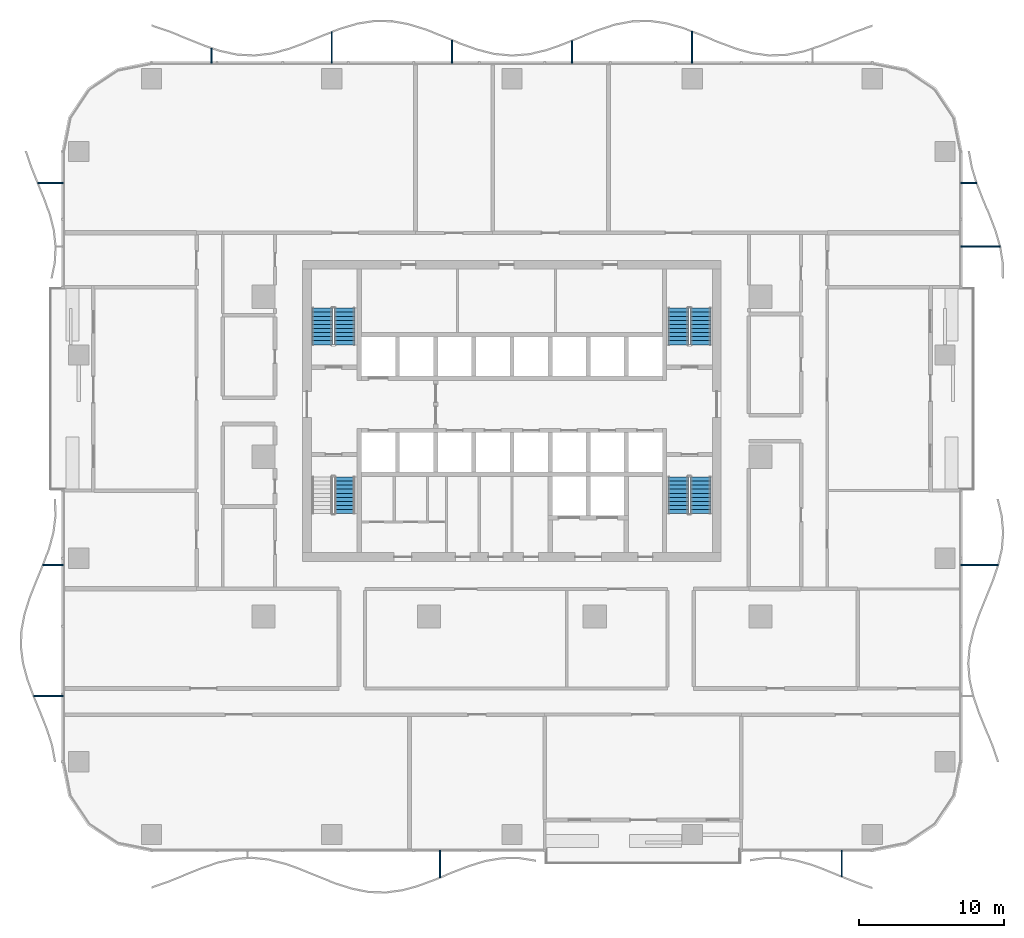
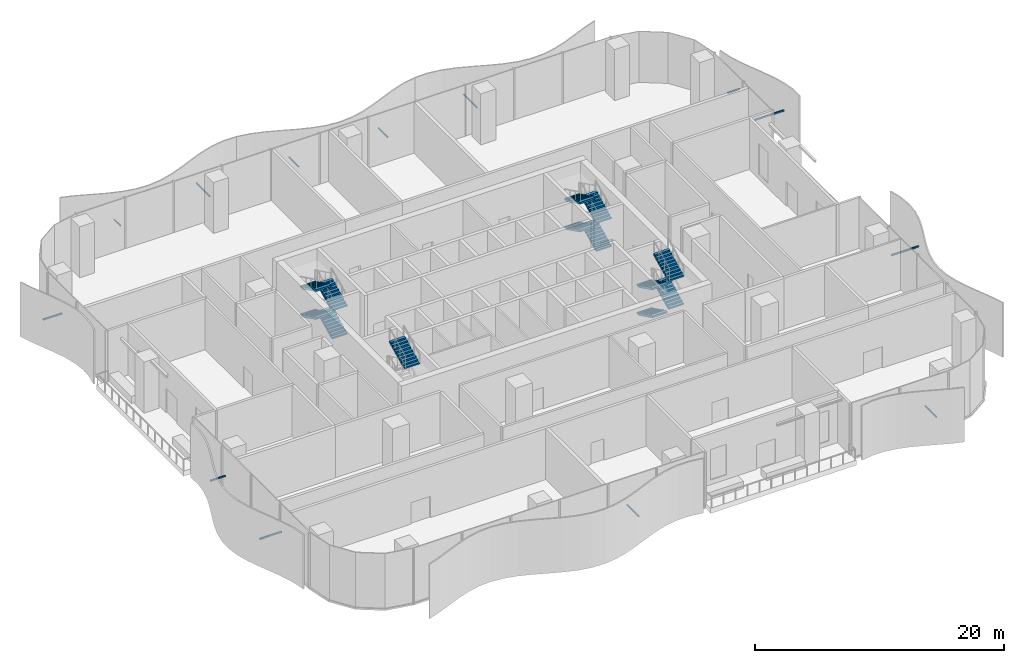
# One storey, part 12 of 21: 13 discrete accessories, 13 stair flights, 4 elements without a shape of their own.
"""IFC4 building model written with IfcOpenShell, lengths in metres."""

from ifc_helpers import new_model, si_unit, direction, frame, origin, origin_2d, place, context, subcontext, project, spatial, polyline, rectangle, outline, extrude, material, type_object, element, aggregate, save


model = new_model("IFC4")

# Units and contexts
model_context = context("Model", 3, precision=1e-05, world=origin(), true_north=direction((0.0, 1.0)))
body_context = subcontext(model_context, "Body", "Model", "MODEL_VIEW")
ifc_project = project(units=[si_unit("LENGTHUNIT", "METRE"), si_unit("AREAUNIT", "SQUARE_METRE"), si_unit("VOLUMEUNIT", "CUBIC_METRE"), si_unit("PLANEANGLEUNIT", "RADIAN"), si_unit("MASSUNIT", "GRAM", prefix="KILO")], contexts=[model_context])

# Site, building, storey
site_placement = place(None, origin())
site = spatial("IfcSite", under=ifc_project, at=site_placement, CompositionType="ELEMENT")
building_placement = place(site_placement, origin())
building = spatial("IfcBuilding", under=site, at=building_placement, Name="Mopane Tessera Tower", CompositionType="ELEMENT")
storey_placement = place(building_placement, frame((0.0, 0.0, 20.0)))
storey = spatial("IfcBuildingStorey", under=building, at=storey_placement, Name="L03", CompositionType="ELEMENT", Elevation=20.0)

# Stair, stair flight
ifc_material_1 = material(Name="Concrete C50/60", Category="concrete")
stair_type = type_object("IfcStairType", Name="Escape stair 1400 mm, riser 138 mm", PredefinedType="HALF_TURN_STAIR", material=ifc_material_1)
stair_1_placement = place(storey_placement, origin())
stair_1 = element("IfcStair", 1, at=stair_1_placement, inside=storey, type_object=stair_type, Name="L03 Escape stair south-west", PredefinedType="HALF_TURN_STAIR")
ifc_material_2 = material(Name="Concrete C50/60", Category="concrete")
stair_flight_type = type_object("IfcStairFlightType", Name="Escape stair flight 1400 mm", PredefinedType="STRAIGHT", material=ifc_material_2)
stair_flight_1_placement = place(storey_placement, frame((-11.5, -3.919921875, 4.125), z_axis=(0.0, 0.0, 1.0), x_axis=(0.0, 1.0, 0.0)))
stair_flight_1 = element("IfcStairFlight", 2, at=stair_flight_1_placement, type_object=stair_flight_type, Name="ST1 flight 4", NumberOfRisers=10, NumberOfTreads=9, PredefinedType="STRAIGHT", RiserHeight=0.1375, TreadLength=0.28, context=body_context, shape_type="SweptSolid", body=[
    extrude(outline(polyline([(0.0, 0.0), (0.0, 0.137451171875), (0.280029296875, 0.137451171875), (0.280029296875, 0.27490234375), (0.56005859375, 0.27490234375), (0.56005859375, 0.41259765625), (0.840087890625, 0.41259765625), (0.840087890625, 0.550048828125), (1.1201171875, 0.550048828125), (1.1201171875, 0.6875), (1.39990234375, 0.6875), (1.39990234375, 0.824951171875), (1.679931640625, 0.824951171875), (1.679931640625, 0.96240234375), (1.9599609375, 0.96240234375), (1.9599609375, 1.10009765625), (2.239990234375, 1.10009765625), (2.239990234375, 1.237548828125), (2.52001953125, 1.237548828125), (2.52001953125, 1.375), (2.52001953125, 1.070556640625), (0.340087890625, 0.0), (0.0, 0.0)])), frame((0.0, 0.699951171875, 0.0), z_axis=(0.0, -1.0, 0.0), x_axis=(1.0, 0.0, 0.0)), (0.0, 0.0, 1.0), 1.39990234375),
])
aggregate(stair_1, [stair_flight_1])

# Stair, stair flights
stair_2_placement = place(storey_placement, origin())
stair_2 = element("IfcStair", 3, at=stair_2_placement, inside=storey, type_object=stair_type, Name="L03 Escape stair north-west", PredefinedType="HALF_TURN_STAIR")
stair_flight_2_placement = place(storey_placement, frame((-11.5, 7.699951171875, 0.0), z_axis=(0.0, 0.0, 1.0), x_axis=(0.0, 1.0, 0.0)))
stair_flight_2 = element("IfcStairFlight", 4, at=stair_flight_2_placement, type_object=stair_flight_type, Name="ST2 flight 1", NumberOfRisers=10, NumberOfTreads=9, PredefinedType="STRAIGHT", RiserHeight=0.1375, TreadLength=0.28, context=body_context, shape_type="SweptSolid", body=[
    extrude(outline(polyline([(0.0, 0.0), (0.0, 0.137451171875), (0.280029296875, 0.137451171875), (0.280029296875, 0.27490234375), (0.56005859375, 0.27490234375), (0.56005859375, 0.41259765625), (0.840087890625, 0.41259765625), (0.840087890625, 0.550048828125), (1.1201171875, 0.550048828125), (1.1201171875, 0.6875), (1.39990234375, 0.6875), (1.39990234375, 0.824951171875), (1.679931640625, 0.824951171875), (1.679931640625, 0.96240234375), (1.9599609375, 0.96240234375), (1.9599609375, 1.10009765625), (2.239990234375, 1.10009765625), (2.239990234375, 1.237548828125), (2.52001953125, 1.237548828125), (2.52001953125, 1.375), (2.52001953125, 1.070556640625), (0.340087890625, 0.0), (0.0, 0.0)])), frame((0.0, 0.699951171875, 0.0), z_axis=(0.0, -1.0, 0.0), x_axis=(1.0, 0.0, 0.0)), (0.0, 0.0, 1.0), 1.39990234375),
])
stair_flight_3_placement = place(storey_placement, frame((-13.050048828125, 10.219970703125, 1.375), z_axis=(0.0, 0.0, 1.0), x_axis=(0.0, -1.0, 0.0)))
stair_flight_3 = element("IfcStairFlight", 5, at=stair_flight_3_placement, type_object=stair_flight_type, Name="ST2 flight 2", NumberOfRisers=10, NumberOfTreads=9, PredefinedType="STRAIGHT", RiserHeight=0.1375, TreadLength=0.28, context=body_context, shape_type="SweptSolid", body=[
    extrude(outline(polyline([(0.0, 0.0), (0.0, 0.137451171875), (0.280029296875, 0.137451171875), (0.280029296875, 0.27490234375), (0.56005859375, 0.27490234375), (0.56005859375, 0.41259765625), (0.840087890625, 0.41259765625), (0.840087890625, 0.550048828125), (1.1201171875, 0.550048828125), (1.1201171875, 0.6875), (1.39990234375, 0.6875), (1.39990234375, 0.824951171875), (1.679931640625, 0.824951171875), (1.679931640625, 0.96240234375), (1.9599609375, 0.96240234375), (1.9599609375, 1.10009765625), (2.239990234375, 1.10009765625), (2.239990234375, 1.237548828125), (2.52001953125, 1.237548828125), (2.52001953125, 1.375), (2.52001953125, 1.070556640625), (0.340087890625, 0.0), (0.0, 0.0)])), frame((0.0, 0.699951171875, 0.0), z_axis=(0.0, -1.0, 0.0), x_axis=(1.0, 0.0, 0.0)), (0.0, 0.0, 1.0), 1.39990234375),
])
stair_flight_4_placement = place(storey_placement, frame((-11.5, 7.699951171875, 2.75), z_axis=(0.0, 0.0, 1.0), x_axis=(0.0, 1.0, 0.0)))
stair_flight_4 = element("IfcStairFlight", 6, at=stair_flight_4_placement, type_object=stair_flight_type, Name="ST2 flight 3", NumberOfRisers=10, NumberOfTreads=9, PredefinedType="STRAIGHT", RiserHeight=0.1375, TreadLength=0.28, context=body_context, shape_type="SweptSolid", body=[
    extrude(outline(polyline([(0.0, 0.0), (0.0, 0.137451171875), (0.280029296875, 0.137451171875), (0.280029296875, 0.27490234375), (0.56005859375, 0.27490234375), (0.56005859375, 0.41259765625), (0.840087890625, 0.41259765625), (0.840087890625, 0.550048828125), (1.1201171875, 0.550048828125), (1.1201171875, 0.6875), (1.39990234375, 0.6875), (1.39990234375, 0.824951171875), (1.679931640625, 0.824951171875), (1.679931640625, 0.96240234375), (1.9599609375, 0.96240234375), (1.9599609375, 1.10009765625), (2.239990234375, 1.10009765625), (2.239990234375, 1.237548828125), (2.52001953125, 1.237548828125), (2.52001953125, 1.375), (2.52001953125, 1.070556640625), (0.340087890625, 0.0), (0.0, 0.0)])), frame((0.0, 0.699951171875, 0.0), z_axis=(0.0, -1.0, 0.0), x_axis=(1.0, 0.0, 0.0)), (0.0, 0.0, 1.0), 1.39990234375),
])
stair_flight_5_placement = place(storey_placement, frame((-13.050048828125, 10.219970703125, 4.125), z_axis=(0.0, 0.0, 1.0), x_axis=(0.0, -1.0, 0.0)))
stair_flight_5 = element("IfcStairFlight", 7, at=stair_flight_5_placement, type_object=stair_flight_type, Name="ST2 flight 4", NumberOfRisers=10, NumberOfTreads=9, PredefinedType="STRAIGHT", RiserHeight=0.1375, TreadLength=0.28, context=body_context, shape_type="SweptSolid", body=[
    extrude(outline(polyline([(0.0, 0.0), (0.0, 0.137451171875), (0.280029296875, 0.137451171875), (0.280029296875, 0.27490234375), (0.56005859375, 0.27490234375), (0.56005859375, 0.41259765625), (0.840087890625, 0.41259765625), (0.840087890625, 0.550048828125), (1.1201171875, 0.550048828125), (1.1201171875, 0.6875), (1.39990234375, 0.6875), (1.39990234375, 0.824951171875), (1.679931640625, 0.824951171875), (1.679931640625, 0.96240234375), (1.9599609375, 0.96240234375), (1.9599609375, 1.10009765625), (2.239990234375, 1.10009765625), (2.239990234375, 1.237548828125), (2.52001953125, 1.237548828125), (2.52001953125, 1.375), (2.52001953125, 1.070556640625), (0.340087890625, 0.0), (0.0, 0.0)])), frame((0.0, 0.699951171875, 0.0), z_axis=(0.0, -1.0, 0.0), x_axis=(1.0, 0.0, 0.0)), (0.0, 0.0, 1.0), 1.39990234375),
])
aggregate(stair_2, [stair_flight_2, stair_flight_3, stair_flight_4, stair_flight_5])

stair_3_placement = place(storey_placement, origin())
stair_3 = element("IfcStair", 8, at=stair_3_placement, inside=storey, type_object=stair_type, Name="L03 Escape stair south-east", PredefinedType="HALF_TURN_STAIR")
stair_flight_6_placement = place(storey_placement, frame((11.449951171875, -1.39990234375, 0.0), z_axis=(0.0, 0.0, 1.0), x_axis=(0.0, -1.0, 0.0)))
stair_flight_6 = element("IfcStairFlight", 9, at=stair_flight_6_placement, type_object=stair_flight_type, Name="ST3 flight 1", NumberOfRisers=10, NumberOfTreads=9, PredefinedType="STRAIGHT", RiserHeight=0.1375, TreadLength=0.28, context=body_context, shape_type="SweptSolid", body=[
    extrude(outline(polyline([(0.0, 0.0), (0.0, 0.137451171875), (0.280029296875, 0.137451171875), (0.280029296875, 0.27490234375), (0.56005859375, 0.27490234375), (0.56005859375, 0.41259765625), (0.840087890625, 0.41259765625), (0.840087890625, 0.550048828125), (1.1201171875, 0.550048828125), (1.1201171875, 0.6875), (1.39990234375, 0.6875), (1.39990234375, 0.824951171875), (1.679931640625, 0.824951171875), (1.679931640625, 0.96240234375), (1.9599609375, 0.96240234375), (1.9599609375, 1.10009765625), (2.239990234375, 1.10009765625), (2.239990234375, 1.237548828125), (2.52001953125, 1.237548828125), (2.52001953125, 1.375), (2.52001953125, 1.070556640625), (0.340087890625, 0.0), (0.0, 0.0)])), frame((0.0, 0.699951171875, 0.0), z_axis=(0.0, -1.0, 0.0), x_axis=(1.0, 0.0, 0.0)), (0.0, 0.0, 1.0), 1.39990234375),
])
stair_flight_7_placement = place(storey_placement, frame((13.0, -3.919921875, 1.375), z_axis=(0.0, 0.0, 1.0), x_axis=(0.0, 1.0, 0.0)))
stair_flight_7 = element("IfcStairFlight", 10, at=stair_flight_7_placement, type_object=stair_flight_type, Name="ST3 flight 2", NumberOfRisers=10, NumberOfTreads=9, PredefinedType="STRAIGHT", RiserHeight=0.1375, TreadLength=0.28, context=body_context, shape_type="SweptSolid", body=[
    extrude(outline(polyline([(0.0, 0.0), (0.0, 0.137451171875), (0.280029296875, 0.137451171875), (0.280029296875, 0.27490234375), (0.56005859375, 0.27490234375), (0.56005859375, 0.41259765625), (0.840087890625, 0.41259765625), (0.840087890625, 0.550048828125), (1.1201171875, 0.550048828125), (1.1201171875, 0.6875), (1.39990234375, 0.6875), (1.39990234375, 0.824951171875), (1.679931640625, 0.824951171875), (1.679931640625, 0.96240234375), (1.9599609375, 0.96240234375), (1.9599609375, 1.10009765625), (2.239990234375, 1.10009765625), (2.239990234375, 1.237548828125), (2.52001953125, 1.237548828125), (2.52001953125, 1.375), (2.52001953125, 1.070556640625), (0.340087890625, 0.0), (0.0, 0.0)])), frame((0.0, 0.699951171875, 0.0), z_axis=(0.0, -1.0, 0.0), x_axis=(1.0, 0.0, 0.0)), (0.0, 0.0, 1.0), 1.39990234375),
])
stair_flight_8_placement = place(storey_placement, frame((11.449951171875, -1.39990234375, 2.75), z_axis=(0.0, 0.0, 1.0), x_axis=(0.0, -1.0, 0.0)))
stair_flight_8 = element("IfcStairFlight", 11, at=stair_flight_8_placement, type_object=stair_flight_type, Name="ST3 flight 3", NumberOfRisers=10, NumberOfTreads=9, PredefinedType="STRAIGHT", RiserHeight=0.1375, TreadLength=0.28, context=body_context, shape_type="SweptSolid", body=[
    extrude(outline(polyline([(0.0, 0.0), (0.0, 0.137451171875), (0.280029296875, 0.137451171875), (0.280029296875, 0.27490234375), (0.56005859375, 0.27490234375), (0.56005859375, 0.41259765625), (0.840087890625, 0.41259765625), (0.840087890625, 0.550048828125), (1.1201171875, 0.550048828125), (1.1201171875, 0.6875), (1.39990234375, 0.6875), (1.39990234375, 0.824951171875), (1.679931640625, 0.824951171875), (1.679931640625, 0.96240234375), (1.9599609375, 0.96240234375), (1.9599609375, 1.10009765625), (2.239990234375, 1.10009765625), (2.239990234375, 1.237548828125), (2.52001953125, 1.237548828125), (2.52001953125, 1.375), (2.52001953125, 1.070556640625), (0.340087890625, 0.0), (0.0, 0.0)])), frame((0.0, 0.699951171875, 0.0), z_axis=(0.0, -1.0, 0.0), x_axis=(1.0, 0.0, 0.0)), (0.0, 0.0, 1.0), 1.39990234375),
])
stair_flight_9_placement = place(storey_placement, frame((13.0, -3.919921875, 4.125), z_axis=(0.0, 0.0, 1.0), x_axis=(0.0, 1.0, 0.0)))
stair_flight_9 = element("IfcStairFlight", 12, at=stair_flight_9_placement, type_object=stair_flight_type, Name="ST3 flight 4", NumberOfRisers=10, NumberOfTreads=9, PredefinedType="STRAIGHT", RiserHeight=0.1375, TreadLength=0.28, context=body_context, shape_type="SweptSolid", body=[
    extrude(outline(polyline([(0.0, 0.0), (0.0, 0.137451171875), (0.280029296875, 0.137451171875), (0.280029296875, 0.27490234375), (0.56005859375, 0.27490234375), (0.56005859375, 0.41259765625), (0.840087890625, 0.41259765625), (0.840087890625, 0.550048828125), (1.1201171875, 0.550048828125), (1.1201171875, 0.6875), (1.39990234375, 0.6875), (1.39990234375, 0.824951171875), (1.679931640625, 0.824951171875), (1.679931640625, 0.96240234375), (1.9599609375, 0.96240234375), (1.9599609375, 1.10009765625), (2.239990234375, 1.10009765625), (2.239990234375, 1.237548828125), (2.52001953125, 1.237548828125), (2.52001953125, 1.375), (2.52001953125, 1.070556640625), (0.340087890625, 0.0), (0.0, 0.0)])), frame((0.0, 0.699951171875, 0.0), z_axis=(0.0, -1.0, 0.0), x_axis=(1.0, 0.0, 0.0)), (0.0, 0.0, 1.0), 1.39990234375),
])
aggregate(stair_3, [stair_flight_6, stair_flight_7, stair_flight_8, stair_flight_9])

stair_4_placement = place(storey_placement, origin())
stair_4 = element("IfcStair", 13, at=stair_4_placement, inside=storey, type_object=stair_type, Name="L03 Escape stair north-east", PredefinedType="HALF_TURN_STAIR")
stair_flight_10_placement = place(storey_placement, frame((13.0, 7.699951171875, 0.0), z_axis=(0.0, 0.0, 1.0), x_axis=(0.0, 1.0, 0.0)))
stair_flight_10 = element("IfcStairFlight", 14, at=stair_flight_10_placement, type_object=stair_flight_type, Name="ST4 flight 1", NumberOfRisers=10, NumberOfTreads=9, PredefinedType="STRAIGHT", RiserHeight=0.1375, TreadLength=0.28, context=body_context, shape_type="SweptSolid", body=[
    extrude(outline(polyline([(0.0, 0.0), (0.0, 0.137451171875), (0.280029296875, 0.137451171875), (0.280029296875, 0.27490234375), (0.56005859375, 0.27490234375), (0.56005859375, 0.41259765625), (0.840087890625, 0.41259765625), (0.840087890625, 0.550048828125), (1.1201171875, 0.550048828125), (1.1201171875, 0.6875), (1.39990234375, 0.6875), (1.39990234375, 0.824951171875), (1.679931640625, 0.824951171875), (1.679931640625, 0.96240234375), (1.9599609375, 0.96240234375), (1.9599609375, 1.10009765625), (2.239990234375, 1.10009765625), (2.239990234375, 1.237548828125), (2.52001953125, 1.237548828125), (2.52001953125, 1.375), (2.52001953125, 1.070556640625), (0.340087890625, 0.0), (0.0, 0.0)])), frame((0.0, 0.699951171875, 0.0), z_axis=(0.0, -1.0, 0.0), x_axis=(1.0, 0.0, 0.0)), (0.0, 0.0, 1.0), 1.39990234375),
])
stair_flight_11_placement = place(storey_placement, frame((11.449951171875, 10.219970703125, 1.375), z_axis=(0.0, 0.0, 1.0), x_axis=(0.0, -1.0, 0.0)))
stair_flight_11 = element("IfcStairFlight", 15, at=stair_flight_11_placement, type_object=stair_flight_type, Name="ST4 flight 2", NumberOfRisers=10, NumberOfTreads=9, PredefinedType="STRAIGHT", RiserHeight=0.1375, TreadLength=0.28, context=body_context, shape_type="SweptSolid", body=[
    extrude(outline(polyline([(0.0, 0.0), (0.0, 0.137451171875), (0.280029296875, 0.137451171875), (0.280029296875, 0.27490234375), (0.56005859375, 0.27490234375), (0.56005859375, 0.41259765625), (0.840087890625, 0.41259765625), (0.840087890625, 0.550048828125), (1.1201171875, 0.550048828125), (1.1201171875, 0.6875), (1.39990234375, 0.6875), (1.39990234375, 0.824951171875), (1.679931640625, 0.824951171875), (1.679931640625, 0.96240234375), (1.9599609375, 0.96240234375), (1.9599609375, 1.10009765625), (2.239990234375, 1.10009765625), (2.239990234375, 1.237548828125), (2.52001953125, 1.237548828125), (2.52001953125, 1.375), (2.52001953125, 1.070556640625), (0.340087890625, 0.0), (0.0, 0.0)])), frame((0.0, 0.699951171875, 0.0), z_axis=(0.0, -1.0, 0.0), x_axis=(1.0, 0.0, 0.0)), (0.0, 0.0, 1.0), 1.39990234375),
])
stair_flight_12_placement = place(storey_placement, frame((13.0, 7.699951171875, 2.75), z_axis=(0.0, 0.0, 1.0), x_axis=(0.0, 1.0, 0.0)))
stair_flight_12 = element("IfcStairFlight", 16, at=stair_flight_12_placement, type_object=stair_flight_type, Name="ST4 flight 3", NumberOfRisers=10, NumberOfTreads=9, PredefinedType="STRAIGHT", RiserHeight=0.1375, TreadLength=0.28, context=body_context, shape_type="SweptSolid", body=[
    extrude(outline(polyline([(0.0, 0.0), (0.0, 0.137451171875), (0.280029296875, 0.137451171875), (0.280029296875, 0.27490234375), (0.56005859375, 0.27490234375), (0.56005859375, 0.41259765625), (0.840087890625, 0.41259765625), (0.840087890625, 0.550048828125), (1.1201171875, 0.550048828125), (1.1201171875, 0.6875), (1.39990234375, 0.6875), (1.39990234375, 0.824951171875), (1.679931640625, 0.824951171875), (1.679931640625, 0.96240234375), (1.9599609375, 0.96240234375), (1.9599609375, 1.10009765625), (2.239990234375, 1.10009765625), (2.239990234375, 1.237548828125), (2.52001953125, 1.237548828125), (2.52001953125, 1.375), (2.52001953125, 1.070556640625), (0.340087890625, 0.0), (0.0, 0.0)])), frame((0.0, 0.699951171875, 0.0), z_axis=(0.0, -1.0, 0.0), x_axis=(1.0, 0.0, 0.0)), (0.0, 0.0, 1.0), 1.39990234375),
])
stair_flight_13_placement = place(storey_placement, frame((11.449951171875, 10.219970703125, 4.125), z_axis=(0.0, 0.0, 1.0), x_axis=(0.0, -1.0, 0.0)))
stair_flight_13 = element("IfcStairFlight", 17, at=stair_flight_13_placement, type_object=stair_flight_type, Name="ST4 flight 4", NumberOfRisers=10, NumberOfTreads=9, PredefinedType="STRAIGHT", RiserHeight=0.1375, TreadLength=0.28, context=body_context, shape_type="SweptSolid", body=[
    extrude(outline(polyline([(0.0, 0.0), (0.0, 0.137451171875), (0.280029296875, 0.137451171875), (0.280029296875, 0.27490234375), (0.56005859375, 0.27490234375), (0.56005859375, 0.41259765625), (0.840087890625, 0.41259765625), (0.840087890625, 0.550048828125), (1.1201171875, 0.550048828125), (1.1201171875, 0.6875), (1.39990234375, 0.6875), (1.39990234375, 0.824951171875), (1.679931640625, 0.824951171875), (1.679931640625, 0.96240234375), (1.9599609375, 0.96240234375), (1.9599609375, 1.10009765625), (2.239990234375, 1.10009765625), (2.239990234375, 1.237548828125), (2.52001953125, 1.237548828125), (2.52001953125, 1.375), (2.52001953125, 1.070556640625), (0.340087890625, 0.0), (0.0, 0.0)])), frame((0.0, 0.699951171875, 0.0), z_axis=(0.0, -1.0, 0.0), x_axis=(1.0, 0.0, 0.0)), (0.0, 0.0, 1.0), 1.39990234375),
])
aggregate(stair_4, [stair_flight_10, stair_flight_11, stair_flight_12, stair_flight_13])

# Discrete accessories
ifc_material_3 = material(Name="Stainless steel S316", Category="steel")
discrete_accessory_type = type_object("IfcDiscreteAccessoryType", Name="Louvre bracket 100 x 100", PredefinedType="BRACKET", material=ifc_material_3)
discrete_accessory_1_placement = place(storey_placement, frame((-4.958984375, -28.025390625, 2.280029296875), z_axis=(0.0, 0.0, 1.0), x_axis=(0.0, -1.0, 0.0)))
element("IfcDiscreteAccessory", 18, at=discrete_accessory_1_placement, inside=storey, type_object=discrete_accessory_type, Name="e:lv:L03:S:0:br1", PredefinedType="BRACKET", context=body_context, shape_type="SweptSolid", body=[
    extrude(rectangle(XDim=1.890869140625, YDim=0.10009765625, at=origin_2d()), origin(), (0.0, 0.0, 1.0), 0.10009765625),
])
discrete_accessory_2_placement = place(storey_placement, frame((22.695556640625, -27.991455078125, 2.280029296875), z_axis=(0.0, 0.0, 1.0), x_axis=(0.0, -1.0, 0.0)))
element("IfcDiscreteAccessory", 19, at=discrete_accessory_2_placement, inside=storey, type_object=discrete_accessory_type, Name="e:lv:L03:S:1:br1", PredefinedType="BRACKET", context=body_context, shape_type="SweptSolid", body=[
    extrude(rectangle(XDim=1.82275390625, YDim=0.10009765625, at=origin_2d()), origin(), (0.0, 0.0, 1.0), 0.10009765625),
])
discrete_accessory_3_placement = place(storey_placement, frame((32.171630859375, -7.449951171875, 2.280029296875), z_axis=(0.0, 0.0, 1.0), x_axis=(1.0, 0.0, 0.0)))
element("IfcDiscreteAccessory", 20, at=discrete_accessory_3_placement, inside=storey, type_object=discrete_accessory_type, Name="e:lv:L03:E:0:br1", PredefinedType="BRACKET", context=body_context, shape_type="SweptSolid", body=[
    extrude(rectangle(XDim=2.583251953125, YDim=0.10009765625, at=origin_2d()), origin(), (0.0, 0.0, 1.0), 0.10009765625),
])
discrete_accessory_4_placement = place(storey_placement, frame((32.2373046875, 14.449951171875, 2.280029296875), z_axis=(0.0, 0.0, 1.0), x_axis=(1.0, 0.0, 0.0)))
element("IfcDiscreteAccessory", 21, at=discrete_accessory_4_placement, inside=storey, type_object=discrete_accessory_type, Name="e:lv:L03:E:1:br0", PredefinedType="BRACKET", context=body_context, shape_type="SweptSolid", body=[
    extrude(rectangle(XDim=2.71484375, YDim=0.10009765625, at=origin_2d()), origin(), (0.0, 0.0, 1.0), 0.10009765625),
])
discrete_accessory_5_placement = place(storey_placement, frame((31.427978515625, 18.816650390625, 2.280029296875), z_axis=(0.0, 0.0, 1.0), x_axis=(1.0, 0.0, 0.0)))
element("IfcDiscreteAccessory", 22, at=discrete_accessory_5_placement, inside=storey, type_object=discrete_accessory_type, Name="e:lv:L03:E:1:br1", PredefinedType="BRACKET", context=body_context, shape_type="SweptSolid", body=[
    extrude(rectangle(XDim=1.095947265625, YDim=0.10009765625, at=origin_2d()), origin(), (0.0, 0.0, 1.0), 0.10009765625),
])
discrete_accessory_6_placement = place(storey_placement, frame((12.39990234375, 28.174560546875, 2.280029296875), z_axis=(0.0, 0.0, 1.0), x_axis=(0.0, 1.0, 0.0)))
element("IfcDiscreteAccessory", 23, at=discrete_accessory_6_placement, inside=storey, type_object=discrete_accessory_type, Name="e:lv:L03:N:0:br1", PredefinedType="BRACKET", context=body_context, shape_type="SweptSolid", body=[
    extrude(rectangle(XDim=2.18896484375, YDim=0.10009765625, at=origin_2d()), origin(), (0.0, 0.0, 1.0), 0.10009765625),
])
discrete_accessory_7_placement = place(storey_placement, frame((4.13330078125, 27.85302734375, 2.280029296875), z_axis=(0.0, 0.0, 1.0), x_axis=(0.0, 1.0, 0.0)))
element("IfcDiscreteAccessory", 24, at=discrete_accessory_7_placement, inside=storey, type_object=discrete_accessory_type, Name="e:lv:L03:N:1:br0", PredefinedType="BRACKET", context=body_context, shape_type="SweptSolid", body=[
    extrude(rectangle(XDim=1.546142578125, YDim=0.10009765625, at=origin_2d()), origin(), (0.0, 0.0, 1.0), 0.10009765625),
])
discrete_accessory_8_placement = place(storey_placement, frame((-4.13330078125, 27.873779296875, 2.280029296875), z_axis=(0.0, 0.0, 1.0), x_axis=(0.0, 1.0, 0.0)))
element("IfcDiscreteAccessory", 25, at=discrete_accessory_8_placement, inside=storey, type_object=discrete_accessory_type, Name="e:lv:L03:N:1:br1", PredefinedType="BRACKET", context=body_context, shape_type="SweptSolid", body=[
    extrude(rectangle(XDim=1.587646484375, YDim=0.10009765625, at=origin_2d()), origin(), (0.0, 0.0, 1.0), 0.10009765625),
])
discrete_accessory_9_placement = place(storey_placement, frame((-12.39990234375, 28.155029296875, 2.280029296875), z_axis=(0.0, 0.0, 1.0), x_axis=(0.0, 1.0, 0.0)))
element("IfcDiscreteAccessory", 26, at=discrete_accessory_9_placement, inside=storey, type_object=discrete_accessory_type, Name="e:lv:L03:N:2:br0", PredefinedType="BRACKET", context=body_context, shape_type="SweptSolid", body=[
    extrude(rectangle(XDim=2.150146484375, YDim=0.10009765625, at=origin_2d()), origin(), (0.0, 0.0, 1.0), 0.10009765625),
])
discrete_accessory_10_placement = place(storey_placement, frame((-20.666748046875, 27.590087890625, 2.280029296875), z_axis=(0.0, 0.0, 1.0), x_axis=(0.0, 1.0, 0.0)))
element("IfcDiscreteAccessory", 27, at=discrete_accessory_10_placement, inside=storey, type_object=discrete_accessory_type, Name="e:lv:L03:N:2:br1", PredefinedType="BRACKET", context=body_context, shape_type="SweptSolid", body=[
    extrude(rectangle(XDim=1.020263671875, YDim=0.10009765625, at=origin_2d()), origin(), (0.0, 0.0, 1.0), 0.10009765625),
])
discrete_accessory_11_placement = place(storey_placement, frame((-31.75390625, 18.816650390625, 2.280029296875), z_axis=(0.0, 0.0, 1.0), x_axis=(-1.0, 0.0, 0.0)))
element("IfcDiscreteAccessory", 28, at=discrete_accessory_11_placement, inside=storey, type_object=discrete_accessory_type, Name="e:lv:L03:W:0:br0", PredefinedType="BRACKET", context=body_context, shape_type="SweptSolid", body=[
    extrude(rectangle(XDim=1.747802734375, YDim=0.10009765625, at=origin_2d()), origin(), (0.0, 0.0, 1.0), 0.10009765625),
])
discrete_accessory_12_placement = place(storey_placement, frame((-31.57470703125, -7.449951171875, 2.280029296875), z_axis=(0.0, 0.0, 1.0), x_axis=(-1.0, 0.0, 0.0)))
element("IfcDiscreteAccessory", 29, at=discrete_accessory_12_placement, inside=storey, type_object=discrete_accessory_type, Name="e:lv:L03:W:1:br0", PredefinedType="BRACKET", context=body_context, shape_type="SweptSolid", body=[
    extrude(rectangle(XDim=1.38916015625, YDim=0.10009765625, at=origin_2d()), origin(), (0.0, 0.0, 1.0), 0.10009765625),
])
discrete_accessory_13_placement = place(storey_placement, frame((-31.898681640625, -16.4833984375, 2.280029296875), z_axis=(0.0, 0.0, 1.0), x_axis=(-1.0, 0.0, 0.0)))
element("IfcDiscreteAccessory", 30, at=discrete_accessory_13_placement, inside=storey, type_object=discrete_accessory_type, Name="e:lv:L03:W:1:br1", PredefinedType="BRACKET", context=body_context, shape_type="SweptSolid", body=[
    extrude(rectangle(XDim=2.037353515625, YDim=0.10009765625, at=origin_2d()), origin(), (0.0, 0.0, 1.0), 0.10009765625),
])

save(model, "model.ifc")
